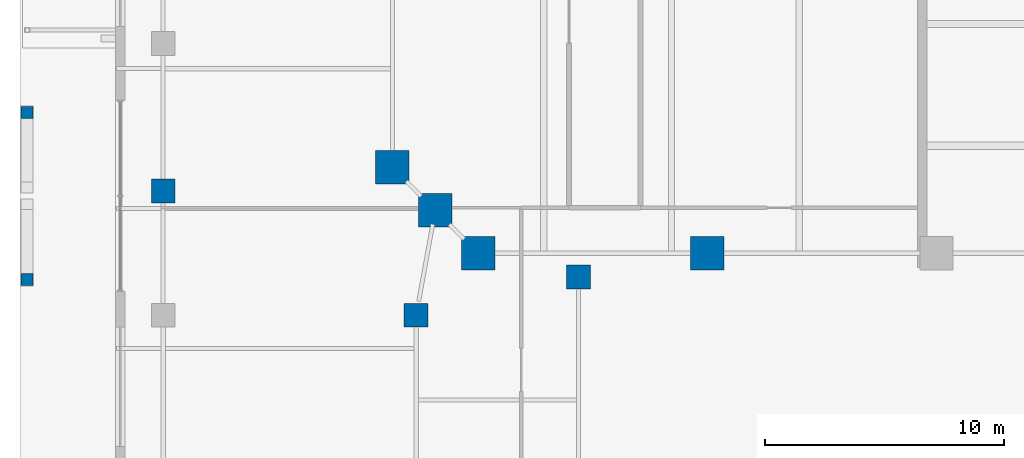
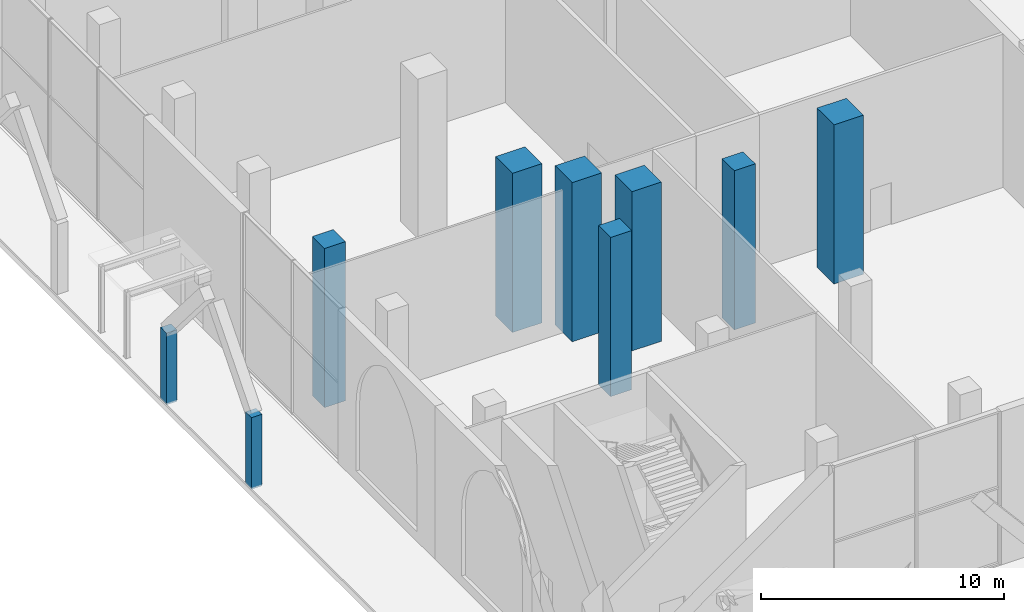
# One storey, part 2 of 38: 9 columns.
"""IFC4 building model written with IfcOpenShell, lengths in metres."""

from ifc_helpers import new_model, si_unit, direction, frame, origin, origin_2d, place, context, subcontext, project, spatial, rectangle, extrude, material, material_profile, profile_set, type_object, element, save


model = new_model("IFC4")

# Units and contexts
model_context = context("Model", 3, precision=1e-05, world=origin(), true_north=direction((0.0, 1.0)))
body_context = subcontext(model_context, "Body", "Model", "MODEL_VIEW")
ifc_project = project(units=[si_unit("LENGTHUNIT", "METRE"), si_unit("AREAUNIT", "SQUARE_METRE"), si_unit("VOLUMEUNIT", "CUBIC_METRE"), si_unit("PLANEANGLEUNIT", "RADIAN"), si_unit("MASSUNIT", "GRAM", prefix="KILO")], contexts=[model_context])

# Site, building, storey
site_placement = place(None, origin())
site = spatial("IfcSite", under=ifc_project, at=site_placement, CompositionType="ELEMENT")
building_placement = place(site_placement, origin())
building = spatial("IfcBuilding", under=site, at=building_placement, Name="Ogive Exchange Tower", CompositionType="ELEMENT")
storey_placement = place(building_placement, origin())
storey = spatial("IfcBuildingStorey", under=building, at=storey_placement, Name="L00", CompositionType="ELEMENT", Elevation=0.0)

# Columns
ifc_material = material(Name="Concrete C70/85", Category="concrete")
ifc_material_profile_1 = material_profile(ifc_material, rectangle(XDim=0.5, YDim=0.5, at=origin_2d()), Name="RC 500x500")
ifc_profile_set_1 = profile_set([ifc_material_profile_1], Name="Concrete C70/85")
column_type_1 = type_object("IfcColumnType", Name="Arcade pier 500x500", PredefinedType="COLUMN", material=ifc_profile_set_1)
for number, where, z_axis, x_axis, name in (
    (1, (-47.699951171875, -24.5, -0.10009765625), (0.0, 0.0, 1.0), (1.0, 0.0, 0.0), "Arcade pier"),
    (2, (-47.699951171875, -31.5, -0.10009765625), (0.0, 0.0, 1.0), (1.0, 0.0, 0.0), "Arcade pier"),
):
    element("IfcColumn", number, at=place(storey_placement, frame(where, z_axis=z_axis, x_axis=x_axis)), inside=storey, type_object=column_type_1, Name=name, PredefinedType="COLUMN", context=body_context, shape_type="SweptSolid", body=[
        extrude(rectangle(XDim=0.5, YDim=0.5, at=origin_2d()), origin(), (0.0, 0.0, 1.0), 3.60009765625),
    ])
ifc_material_profile_2 = material_profile(ifc_material, rectangle(XDim=1.0, YDim=1.0, at=origin_2d()), Name="RC 1000x1000")
ifc_profile_set_2 = profile_set([ifc_material_profile_2], Name="Concrete C70/85")
column_type_2 = type_object("IfcColumnType", Name="RC column 1000x1000", PredefinedType="COLUMN", material=ifc_profile_set_2)
for number, where, z_axis, x_axis, name in (
    (3, (-31.39990234375, -33.0, 0.0), (0.0, 0.0, 1.0), (1.0, 0.0, 0.0), "Podium column"),
    (4, (-24.60009765625, -31.39990234375, 0.0), (0.0, 0.0, 1.0), (1.0, 0.0, 0.0), "Podium column"),
    (5, (-42.0, -27.800048828125, 0.0), (0.0, 0.0, 1.0), (1.0, 0.0, 0.0), "Podium column"),
):
    element("IfcColumn", number, at=place(storey_placement, frame(where, z_axis=z_axis, x_axis=x_axis)), inside=storey, type_object=column_type_2, Name=name, PredefinedType="COLUMN", context=body_context, shape_type="SweptSolid", body=[
        extrude(rectangle(XDim=1.0, YDim=1.0, at=origin_2d()), origin(), (0.0, 0.0, 1.0), 8.0),
    ])
ifc_material_profile_3 = material_profile(ifc_material, rectangle(XDim=1.39990234375, YDim=1.39990234375, at=origin_2d()), Name="RC 1400x1400")
ifc_profile_set_3 = profile_set([ifc_material_profile_3], Name="Concrete C70/85")
column_type_3 = type_object("IfcColumnType", Name="RC column 1400x1400", PredefinedType="COLUMN", material=ifc_profile_set_3)
for number, where, z_axis, x_axis, name in (
    (6, (-28.800048828125, -30.39990234375, 0.0), (0.0, 0.0, 1.0), (1.0, 0.0, 0.0), "Leg column"),
    (7, (-19.199951171875, -30.39990234375, 0.0), (0.0, 0.0, 1.0), (1.0, 0.0, 0.0), "Leg column"),
    (8, (-30.60009765625, -28.60009765625, 0.0), (0.0, 0.0, 1.0), (1.0, 0.0, 0.0), "Leg column"),
    (9, (-32.39990234375, -26.800048828125, 0.0), (0.0, 0.0, 1.0), (1.0, 0.0, 0.0), "Leg column"),
):
    element("IfcColumn", number, at=place(storey_placement, frame(where, z_axis=z_axis, x_axis=x_axis)), inside=storey, type_object=column_type_3, Name=name, PredefinedType="COLUMN", context=body_context, shape_type="SweptSolid", body=[
        extrude(rectangle(XDim=1.39990234375, YDim=1.39990234375, at=origin_2d()), origin(), (0.0, 0.0, 1.0), 8.0),
    ])

save(model, "model.ifc")
